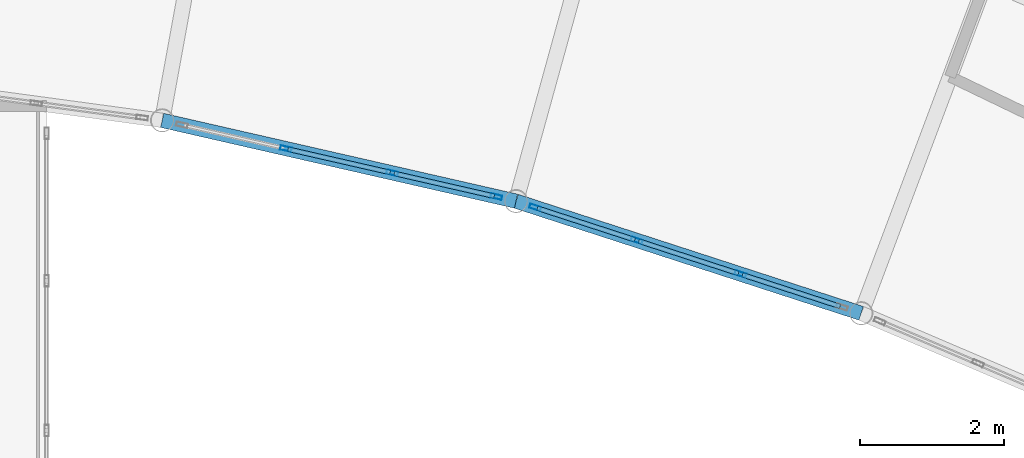
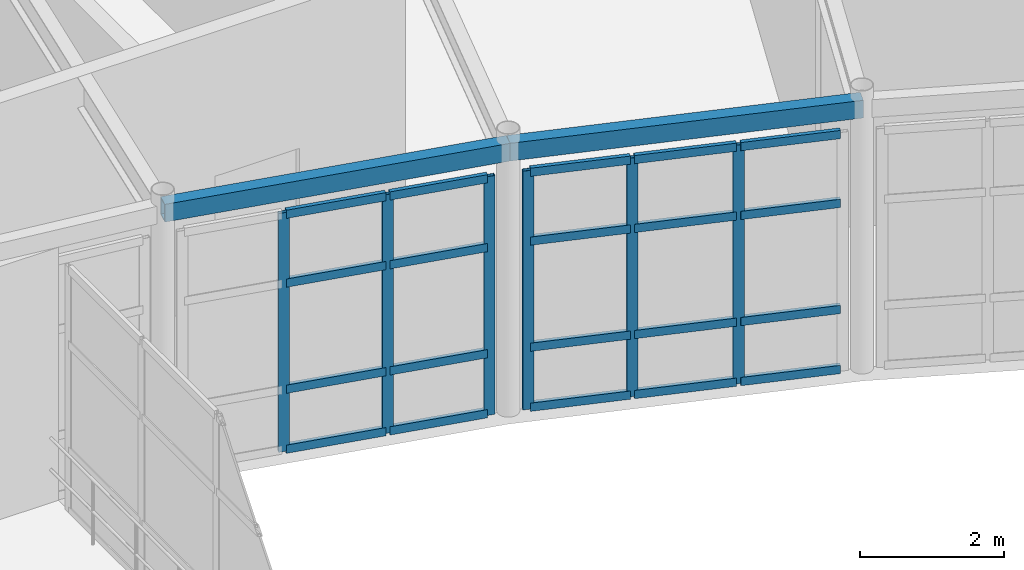
# One storey, part 67 of 105: 26 members, 2 beams, 2 elements without a shape of their own.
"""IFC4 building model written with IfcOpenShell, lengths in metres."""

from ifc_helpers import new_model, si_unit, direction, frame, origin, origin_2d, place, context, subcontext, project, spatial, hollow_rectangle, extrude, material, layer, layer_set, material_profile, profile_set, type_object, element, aggregate, save


model = new_model("IFC4")

# Units and contexts
model_context = context("Model", 3, precision=1e-05, world=origin(), true_north=direction((0.0, 1.0)))
body_context = subcontext(model_context, "Body", "Model", "MODEL_VIEW")
ifc_project = project(units=[si_unit("LENGTHUNIT", "METRE"), si_unit("AREAUNIT", "SQUARE_METRE"), si_unit("VOLUMEUNIT", "CUBIC_METRE"), si_unit("PLANEANGLEUNIT", "RADIAN"), si_unit("MASSUNIT", "GRAM", prefix="KILO")], contexts=[model_context])

# Site, building, storey
site_placement = place(None, origin())
site = spatial("IfcSite", under=ifc_project, at=site_placement, CompositionType="ELEMENT")
building_placement = place(site_placement, origin())
building = spatial("IfcBuilding", under=site, at=building_placement, Name="Selat Folded Stagehouse", CompositionType="ELEMENT")
storey_placement = place(building_placement, frame((0.0, 0.0, 10.199951171875)))
storey = spatial("IfcBuildingStorey", under=building, at=storey_placement, Name="L02", CompositionType="ELEMENT", Elevation=10.199951171875)

# Curtain wall, members
ifc_material_1 = material(Name="Aluminium 6063-T6", Category="aluminium")
ifc_layer = layer(ifc_material_1, 0.18994140625)
ifc_layer_set = layer_set([ifc_layer], Name="Aluminium 6063-T6")
curtain_wall_type = type_object("IfcCurtainWallType", Name="CW-REH-ARC", PredefinedType="NOTDEFINED", material=ifc_layer_set)
curtain_wall_1_placement = place(storey_placement, origin())
curtain_wall_1 = element("IfcCurtainWall", 1, at=curtain_wall_1_placement, inside=storey, type_object=curtain_wall_type, Name="L02 curtain wall CW-REH-L02-09", PredefinedType="NOTDEFINED")
ifc_material_profile_1 = material_profile(ifc_material_1, hollow_rectangle(XDim=0.06005859375, YDim=0.159912109375, WallThickness=0.00390625, at=origin_2d()), Name="ALU 160x60x4.0")
ifc_profile_set_1 = profile_set([ifc_material_profile_1], Name="Aluminium 6063-T6")
member_type_1 = type_object("IfcMemberType", Name="CWM-MUL-160x60", PredefinedType="MULLION", material=ifc_profile_set_1)
member_1_placement = place(storey_placement, frame((107.025146484375, 92.044189453125, 0.0), z_axis=(0.0, 0.0, 1.0), x_axis=(-0.222542761079, -0.974922930026, 0.0)))
member_1 = element("IfcMember", 2, at=member_1_placement, type_object=member_type_1, Name="CW-06 mullion 1", PredefinedType="MULLION", context=body_context, shape_type="SweptSolid", body=[
    extrude(hollow_rectangle(XDim=0.06005859375, YDim=0.159912109375, WallThickness=0.00390625, at=origin_2d()), origin(), (0.0, 0.0, 1.0), 4.050048828125),
])
member_2_placement = place(storey_placement, frame((105.583984375, 92.373046875, 0.0), z_axis=(0.0, 0.0, 1.0), x_axis=(-0.222542761079, -0.974922930026, 0.0)))
member_2 = element("IfcMember", 3, at=member_2_placement, type_object=member_type_1, Name="CW-06 mullion 2", PredefinedType="MULLION", context=body_context, shape_type="SweptSolid", body=[
    extrude(hollow_rectangle(XDim=0.06005859375, YDim=0.159912109375, WallThickness=0.00390625, at=origin_2d()), origin(), (0.0, 0.0, 1.0), 4.050048828125),
])
member_3_placement = place(storey_placement, frame((104.11328125, 92.708740234375, 0.0), z_axis=(0.0, 0.0, 1.0), x_axis=(-0.222542761079, -0.974922930026, 0.0)))
member_3 = element("IfcMember", 4, at=member_3_placement, type_object=member_type_1, Name="CW-06 mullion 3", PredefinedType="MULLION", context=body_context, shape_type="SweptSolid", body=[
    extrude(hollow_rectangle(XDim=0.06005859375, YDim=0.159912109375, WallThickness=0.00390625, at=origin_2d()), origin(), (0.0, 0.0, 1.0), 4.050048828125),
])

curtain_wall_2_placement = place(storey_placement, origin())
curtain_wall_2 = element("IfcCurtainWall", 5, at=curtain_wall_2_placement, inside=storey, type_object=curtain_wall_type, Name="L02 curtain wall CW-REH-L02-10", PredefinedType="NOTDEFINED")
member_4_placement = place(storey_placement, frame((110.40478515625, 90.972412109375, 0.0), z_axis=(0.0, 0.0, 1.0), x_axis=(-0.308991620714, -0.951064760323, 0.0)))
member_4 = element("IfcMember", 6, at=member_4_placement, type_object=member_type_1, Name="CW-06 mullion 2", PredefinedType="MULLION", context=body_context, shape_type="SweptSolid", body=[
    extrude(hollow_rectangle(XDim=0.06005859375, YDim=0.159912109375, WallThickness=0.00390625, at=origin_2d()), origin(), (0.0, 0.0, 1.0), 4.050048828125),
])
member_5_placement = place(storey_placement, frame((108.97021484375, 91.4384765625, 0.0), z_axis=(0.0, 0.0, 1.0), x_axis=(-0.308991620714, -0.951064760323, 0.0)))
member_5 = element("IfcMember", 7, at=member_5_placement, type_object=member_type_1, Name="CW-06 mullion 3", PredefinedType="MULLION", context=body_context, shape_type="SweptSolid", body=[
    extrude(hollow_rectangle(XDim=0.06005859375, YDim=0.159912109375, WallThickness=0.00390625, at=origin_2d()), origin(), (0.0, 0.0, 1.0), 4.050048828125),
])
member_6_placement = place(storey_placement, frame((107.564453125, 91.895263671875, 0.0), z_axis=(0.0, 0.0, 1.0), x_axis=(-0.308991620714, -0.951064760323, 0.0)))
member_6 = element("IfcMember", 8, at=member_6_placement, type_object=member_type_1, Name="CW-06 mullion 4", PredefinedType="MULLION", context=body_context, shape_type="SweptSolid", body=[
    extrude(hollow_rectangle(XDim=0.06005859375, YDim=0.159912109375, WallThickness=0.00390625, at=origin_2d()), origin(), (0.0, 0.0, 1.0), 4.050048828125),
])

# Member
ifc_material_profile_2 = material_profile(ifc_material_1, hollow_rectangle(XDim=0.06494140625, YDim=0.139892578125, WallThickness=0.00390625, at=origin_2d()), Name="ALU 140x65x4.0")
ifc_profile_set_2 = profile_set([ifc_material_profile_2], Name="Aluminium 6063-T6")
member_type_2 = type_object("IfcMemberType", Name="CWM-TRN-140x65", PredefinedType="USERDEFINED", material=ifc_profile_set_2)
member_7_placement = place(storey_placement, frame((106.995849609375, 92.05078125, 0.032470703125), z_axis=(-0.974919361771, 0.222558392438, 0.0), x_axis=(-0.222558392438, -0.974919361771, 0.0)))
member_7 = element("IfcMember", 9, at=member_7_placement, type_object=member_type_2, Name="CW-06 transom 1.1", ObjectType="TRANSOM", PredefinedType="USERDEFINED", context=body_context, shape_type="SweptSolid", body=[
    extrude(hollow_rectangle(XDim=0.06494140625, YDim=0.139892578125, WallThickness=0.00390625, at=origin_2d()), origin(), (0.0, 0.0, 1.0), 1.41845703125),
])

member_8_placement = place(storey_placement, frame((106.995849609375, 92.05078125, 1.050048828125), z_axis=(-0.974919361771, 0.222558392438, 0.0), x_axis=(-0.222558392438, -0.974919361771, 0.0)))
member_8 = element("IfcMember", 10, at=member_8_placement, type_object=member_type_2, Name="CW-06 transom 1.2", ObjectType="TRANSOM", PredefinedType="USERDEFINED", context=body_context, shape_type="SweptSolid", body=[
    extrude(hollow_rectangle(XDim=0.06494140625, YDim=0.139892578125, WallThickness=0.00390625, at=origin_2d()), origin(), (0.0, 0.0, 1.0), 1.41845703125),
])

member_9_placement = place(storey_placement, frame((106.995849609375, 92.05078125, 2.85009765625), z_axis=(-0.974919361771, 0.222558392438, 0.0), x_axis=(-0.222558392438, -0.974919361771, 0.0)))
member_9 = element("IfcMember", 11, at=member_9_placement, type_object=member_type_2, Name="CW-06 transom 1.3", ObjectType="TRANSOM", PredefinedType="USERDEFINED", context=body_context, shape_type="SweptSolid", body=[
    extrude(hollow_rectangle(XDim=0.06494140625, YDim=0.139892578125, WallThickness=0.00390625, at=origin_2d()), origin(), (0.0, 0.0, 1.0), 1.41845703125),
])

member_10_placement = place(storey_placement, frame((106.995849609375, 92.05078125, 4.017578125), z_axis=(-0.974919361771, 0.222558392438, 0.0), x_axis=(-0.222558392438, -0.974919361771, 0.0)))
member_10 = element("IfcMember", 12, at=member_10_placement, type_object=member_type_2, Name="CW-06 transom 1.4", ObjectType="TRANSOM", PredefinedType="USERDEFINED", context=body_context, shape_type="SweptSolid", body=[
    extrude(hollow_rectangle(XDim=0.06494140625, YDim=0.139892578125, WallThickness=0.00390625, at=origin_2d()), origin(), (0.0, 0.0, 1.0), 1.41845703125),
])

member_11_placement = place(storey_placement, frame((105.5546875, 92.3798828125, 0.032470703125), z_axis=(-0.974933771932, 0.222495259155, 0.0), x_axis=(-0.222495259155, -0.974933771932, 0.0)))
member_11 = element("IfcMember", 13, at=member_11_placement, type_object=member_type_2, Name="CW-06 transom 2.1", ObjectType="TRANSOM", PredefinedType="USERDEFINED", context=body_context, shape_type="SweptSolid", body=[
    extrude(hollow_rectangle(XDim=0.06494140625, YDim=0.139892578125, WallThickness=0.00390625, at=origin_2d()), origin(), (0.0, 0.0, 1.0), 1.448486328125),
])

member_12_placement = place(storey_placement, frame((105.5546875, 92.3798828125, 1.050048828125), z_axis=(-0.974933771932, 0.222495259155, 0.0), x_axis=(-0.222495259155, -0.974933771932, 0.0)))
member_12 = element("IfcMember", 14, at=member_12_placement, type_object=member_type_2, Name="CW-06 transom 2.2", ObjectType="TRANSOM", PredefinedType="USERDEFINED", context=body_context, shape_type="SweptSolid", body=[
    extrude(hollow_rectangle(XDim=0.06494140625, YDim=0.139892578125, WallThickness=0.00390625, at=origin_2d()), origin(), (0.0, 0.0, 1.0), 1.448486328125),
])

member_13_placement = place(storey_placement, frame((105.5546875, 92.3798828125, 2.85009765625), z_axis=(-0.974933771932, 0.222495259155, 0.0), x_axis=(-0.222495259155, -0.974933771932, 0.0)))
member_13 = element("IfcMember", 15, at=member_13_placement, type_object=member_type_2, Name="CW-06 transom 2.3", ObjectType="TRANSOM", PredefinedType="USERDEFINED", context=body_context, shape_type="SweptSolid", body=[
    extrude(hollow_rectangle(XDim=0.06494140625, YDim=0.139892578125, WallThickness=0.00390625, at=origin_2d()), origin(), (0.0, 0.0, 1.0), 1.448486328125),
])

member_14_placement = place(storey_placement, frame((105.5546875, 92.3798828125, 4.017578125), z_axis=(-0.974933771932, 0.222495259155, 0.0), x_axis=(-0.222495259155, -0.974933771932, 0.0)))
member_14 = element("IfcMember", 16, at=member_14_placement, type_object=member_type_2, Name="CW-06 transom 2.4", ObjectType="TRANSOM", PredefinedType="USERDEFINED", context=body_context, shape_type="SweptSolid", body=[
    extrude(hollow_rectangle(XDim=0.06494140625, YDim=0.139892578125, WallThickness=0.00390625, at=origin_2d()), origin(), (0.0, 0.0, 1.0), 1.448486328125),
])

aggregate(curtain_wall_1, [member_1, member_2, member_3, member_7, member_8, member_9, member_10, member_11, member_12, member_13, member_14])

member_15_placement = place(storey_placement, frame((111.7822265625, 90.525146484375, 0.032470703125), z_axis=(-0.951065688988, 0.308988762305, 0.0), x_axis=(-0.308988762305, -0.951065688988, 0.0)))
member_15 = element("IfcMember", 17, at=member_15_placement, type_object=member_type_2, Name="CW-06 transom 1.1", ObjectType="TRANSOM", PredefinedType="USERDEFINED", context=body_context, shape_type="SweptSolid", body=[
    extrude(hollow_rectangle(XDim=0.06494140625, YDim=0.139892578125, WallThickness=0.00390625, at=origin_2d()), origin(), (0.0, 0.0, 1.0), 1.418212890625),
])

member_16_placement = place(storey_placement, frame((111.7822265625, 90.525146484375, 1.050048828125), z_axis=(-0.951065688988, 0.308988762305, 0.0), x_axis=(-0.308988762305, -0.951065688988, 0.0)))
member_16 = element("IfcMember", 18, at=member_16_placement, type_object=member_type_2, Name="CW-06 transom 1.2", ObjectType="TRANSOM", PredefinedType="USERDEFINED", context=body_context, shape_type="SweptSolid", body=[
    extrude(hollow_rectangle(XDim=0.06494140625, YDim=0.139892578125, WallThickness=0.00390625, at=origin_2d()), origin(), (0.0, 0.0, 1.0), 1.418212890625),
])

member_17_placement = place(storey_placement, frame((111.7822265625, 90.525146484375, 2.85009765625), z_axis=(-0.951065688988, 0.308988762305, 0.0), x_axis=(-0.308988762305, -0.951065688988, 0.0)))
member_17 = element("IfcMember", 19, at=member_17_placement, type_object=member_type_2, Name="CW-06 transom 1.3", ObjectType="TRANSOM", PredefinedType="USERDEFINED", context=body_context, shape_type="SweptSolid", body=[
    extrude(hollow_rectangle(XDim=0.06494140625, YDim=0.139892578125, WallThickness=0.00390625, at=origin_2d()), origin(), (0.0, 0.0, 1.0), 1.418212890625),
])

member_18_placement = place(storey_placement, frame((111.7822265625, 90.525146484375, 4.017578125), z_axis=(-0.951065688988, 0.308988762305, 0.0), x_axis=(-0.308988762305, -0.951065688988, 0.0)))
member_18 = element("IfcMember", 20, at=member_18_placement, type_object=member_type_2, Name="CW-06 transom 1.4", ObjectType="TRANSOM", PredefinedType="USERDEFINED", context=body_context, shape_type="SweptSolid", body=[
    extrude(hollow_rectangle(XDim=0.06494140625, YDim=0.139892578125, WallThickness=0.00390625, at=origin_2d()), origin(), (0.0, 0.0, 1.0), 1.418212890625),
])

member_19_placement = place(storey_placement, frame((110.376220703125, 90.981689453125, 0.032470703125), z_axis=(-0.951066271776, 0.30898696848, 0.0), x_axis=(-0.30898696848, -0.951066271776, 0.0)))
member_19 = element("IfcMember", 21, at=member_19_placement, type_object=member_type_2, Name="CW-06 transom 2.1", ObjectType="TRANSOM", PredefinedType="USERDEFINED", context=body_context, shape_type="SweptSolid", body=[
    extrude(hollow_rectangle(XDim=0.06494140625, YDim=0.139892578125, WallThickness=0.00390625, at=origin_2d()), origin(), (0.0, 0.0, 1.0), 1.4482421875),
])

member_20_placement = place(storey_placement, frame((110.376220703125, 90.981689453125, 1.050048828125), z_axis=(-0.951066271776, 0.30898696848, 0.0), x_axis=(-0.30898696848, -0.951066271776, 0.0)))
member_20 = element("IfcMember", 22, at=member_20_placement, type_object=member_type_2, Name="CW-06 transom 2.2", ObjectType="TRANSOM", PredefinedType="USERDEFINED", context=body_context, shape_type="SweptSolid", body=[
    extrude(hollow_rectangle(XDim=0.06494140625, YDim=0.139892578125, WallThickness=0.00390625, at=origin_2d()), origin(), (0.0, 0.0, 1.0), 1.4482421875),
])

member_21_placement = place(storey_placement, frame((110.376220703125, 90.981689453125, 2.85009765625), z_axis=(-0.951066271776, 0.30898696848, 0.0), x_axis=(-0.30898696848, -0.951066271776, 0.0)))
member_21 = element("IfcMember", 23, at=member_21_placement, type_object=member_type_2, Name="CW-06 transom 2.3", ObjectType="TRANSOM", PredefinedType="USERDEFINED", context=body_context, shape_type="SweptSolid", body=[
    extrude(hollow_rectangle(XDim=0.06494140625, YDim=0.139892578125, WallThickness=0.00390625, at=origin_2d()), origin(), (0.0, 0.0, 1.0), 1.4482421875),
])

member_22_placement = place(storey_placement, frame((110.376220703125, 90.981689453125, 4.017578125), z_axis=(-0.951066271776, 0.30898696848, 0.0), x_axis=(-0.30898696848, -0.951066271776, 0.0)))
member_22 = element("IfcMember", 24, at=member_22_placement, type_object=member_type_2, Name="CW-06 transom 2.4", ObjectType="TRANSOM", PredefinedType="USERDEFINED", context=body_context, shape_type="SweptSolid", body=[
    extrude(hollow_rectangle(XDim=0.06494140625, YDim=0.139892578125, WallThickness=0.00390625, at=origin_2d()), origin(), (0.0, 0.0, 1.0), 1.4482421875),
])

member_23_placement = place(storey_placement, frame((108.94189453125, 91.44775390625, 0.032470703125), z_axis=(-0.951065688988, 0.308988762305, 0.0), x_axis=(-0.308988762305, -0.951065688988, 0.0)))
member_23 = element("IfcMember", 25, at=member_23_placement, type_object=member_type_2, Name="CW-06 transom 3.1", ObjectType="TRANSOM", PredefinedType="USERDEFINED", context=body_context, shape_type="SweptSolid", body=[
    extrude(hollow_rectangle(XDim=0.06494140625, YDim=0.139892578125, WallThickness=0.00390625, at=origin_2d()), origin(), (0.0, 0.0, 1.0), 1.418212890625),
])

member_24_placement = place(storey_placement, frame((108.94189453125, 91.44775390625, 1.050048828125), z_axis=(-0.951065688988, 0.308988762305, 0.0), x_axis=(-0.308988762305, -0.951065688988, 0.0)))
member_24 = element("IfcMember", 26, at=member_24_placement, type_object=member_type_2, Name="CW-06 transom 3.2", ObjectType="TRANSOM", PredefinedType="USERDEFINED", context=body_context, shape_type="SweptSolid", body=[
    extrude(hollow_rectangle(XDim=0.06494140625, YDim=0.139892578125, WallThickness=0.00390625, at=origin_2d()), origin(), (0.0, 0.0, 1.0), 1.418212890625),
])

member_25_placement = place(storey_placement, frame((108.94189453125, 91.44775390625, 2.85009765625), z_axis=(-0.951065688988, 0.308988762305, 0.0), x_axis=(-0.308988762305, -0.951065688988, 0.0)))
member_25 = element("IfcMember", 27, at=member_25_placement, type_object=member_type_2, Name="CW-06 transom 3.3", ObjectType="TRANSOM", PredefinedType="USERDEFINED", context=body_context, shape_type="SweptSolid", body=[
    extrude(hollow_rectangle(XDim=0.06494140625, YDim=0.139892578125, WallThickness=0.00390625, at=origin_2d()), origin(), (0.0, 0.0, 1.0), 1.418212890625),
])

member_26_placement = place(storey_placement, frame((108.94189453125, 91.44775390625, 4.017578125), z_axis=(-0.951065688988, 0.308988762305, 0.0), x_axis=(-0.308988762305, -0.951065688988, 0.0)))
member_26 = element("IfcMember", 28, at=member_26_placement, type_object=member_type_2, Name="CW-06 transom 3.4", ObjectType="TRANSOM", PredefinedType="USERDEFINED", context=body_context, shape_type="SweptSolid", body=[
    extrude(hollow_rectangle(XDim=0.06494140625, YDim=0.139892578125, WallThickness=0.00390625, at=origin_2d()), origin(), (0.0, 0.0, 1.0), 1.418212890625),
])

aggregate(curtain_wall_2, [member_4, member_5, member_6, member_15, member_16, member_17, member_18, member_19, member_20, member_21, member_22, member_23, member_24, member_25, member_26])

# Beams
ifc_material_2 = material(Name="Steel S355", Category="steel")
ifc_material_profile_3 = material_profile(ifc_material_2, hollow_rectangle(XDim=0.199951171875, YDim=0.300048828125, WallThickness=0.012451171875, at=origin_2d()), Name="RHS 300x200x12.5")
ifc_profile_set_3 = profile_set([ifc_material_profile_3], Name="Steel S355")
beam_type = type_object("IfcBeamType", Name="SPD-RHS-300x200", PredefinedType="SPANDREL", material=ifc_profile_set_3)
beam_1_placement = place(storey_placement, frame((102.399169921875, 93.10009765625, 4.449951171875), z_axis=(0.974927211846, -0.222524002305, 0.0), x_axis=(0.222524002305, 0.974927211846, 0.0)))
element("IfcBeam", 29, at=beam_1_placement, inside=storey, type_object=beam_type, Name="L02 inner curved rehearsal spandrel 10", PredefinedType="SPANDREL", context=body_context, shape_type="SweptSolid", body=[
    extrude(hollow_rectangle(XDim=0.199951171875, YDim=0.300048828125, WallThickness=0.012451171875, at=origin_2d()), origin(), (0.0, 0.0, 1.0), 5.02490234375),
])
beam_2_placement = place(storey_placement, frame((107.298095703125, 91.98193359375, 4.449951171875), z_axis=(0.951056204058, -0.309017955339, 0.0), x_axis=(0.309017955339, 0.951056204058, 0.0)))
element("IfcBeam", 30, at=beam_2_placement, inside=storey, type_object=beam_type, Name="L02 inner curved rehearsal spandrel 11", PredefinedType="SPANDREL", context=body_context, shape_type="SweptSolid", body=[
    extrude(hollow_rectangle(XDim=0.199951171875, YDim=0.300048828125, WallThickness=0.012451171875, at=origin_2d()), origin(), (0.0, 0.0, 1.0), 5.024658203125),
])

save(model, "model.ifc")
